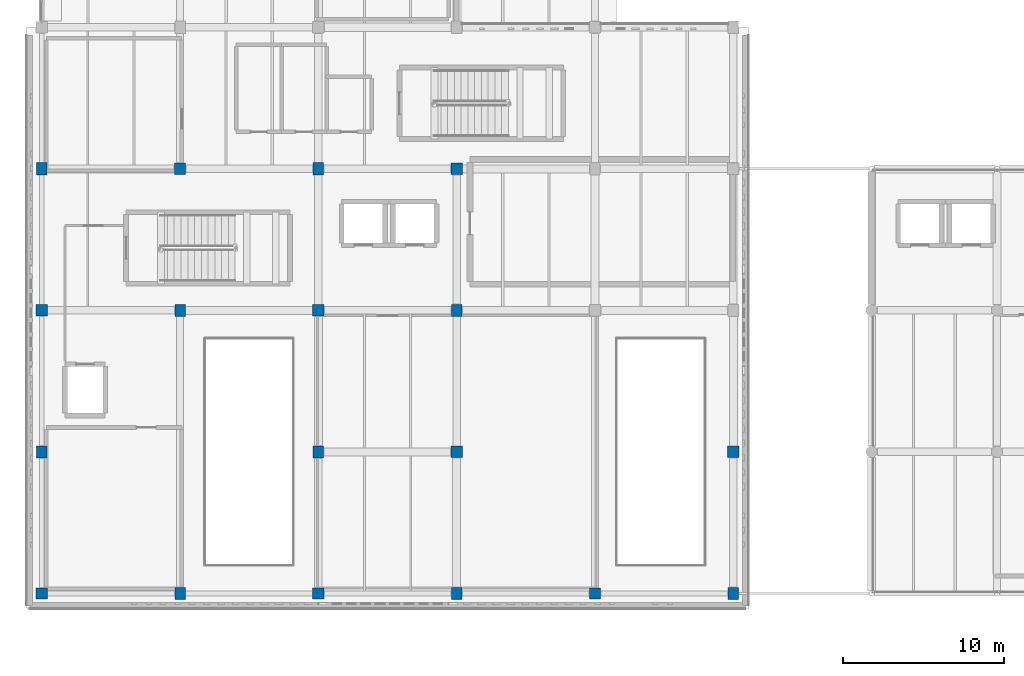
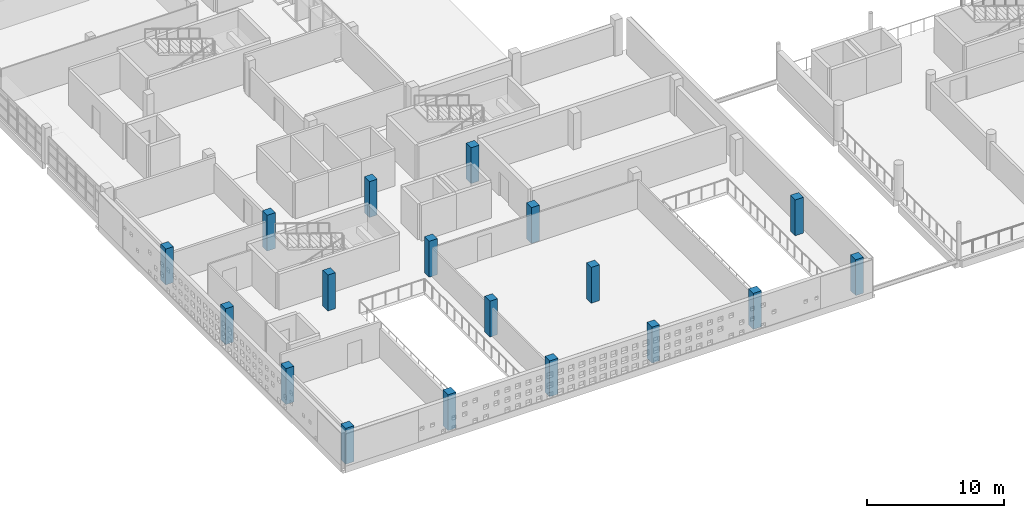
# One storey, part 1 of 55: 18 columns.
"""IFC4 building model written with IfcOpenShell, lengths in metres."""

from ifc_helpers import new_model, si_unit, direction, frame, origin, origin_2d, place, context, subcontext, project, spatial, rectangle, extrude, material, material_profile, profile_set, type_object, element, save


model = new_model("IFC4")

# Units and contexts
model_context = context("Model", 3, precision=1e-05, world=origin(), true_north=direction((0.0, 1.0)))
body_context = subcontext(model_context, "Body", "Model", "MODEL_VIEW")
ifc_project = project(units=[si_unit("LENGTHUNIT", "METRE"), si_unit("AREAUNIT", "SQUARE_METRE"), si_unit("VOLUMEUNIT", "CUBIC_METRE"), si_unit("PLANEANGLEUNIT", "RADIAN"), si_unit("MASSUNIT", "GRAM", prefix="KILO")], contexts=[model_context])

# Site, building, storey
site_placement = place(None, origin())
site = spatial("IfcSite", under=ifc_project, at=site_placement, CompositionType="ELEMENT")
building_placement = place(site_placement, origin())
building = spatial("IfcBuilding", under=site, at=building_placement, Name="Varnakota Cinema and Media Centre", CompositionType="ELEMENT")
storey_placement = place(building_placement, frame((0.0, 0.0, 15.60009765625)))
storey = spatial("IfcBuildingStorey", under=building, at=storey_placement, Name="L04", CompositionType="ELEMENT", Elevation=15.60009765625)

# Columns
ifc_material_1 = material(Name="Concrete M40", Category="concrete")
ifc_material_profile_1 = material_profile(ifc_material_1, rectangle(XDim=0.64990234375, YDim=0.75, at=origin_2d()), Name="RC 650x750")
ifc_profile_set_1 = profile_set([ifc_material_profile_1], Name="Concrete M40")
column_type_1 = type_object("IfcColumnType", Name="COL-RC-650x750", PredefinedType="COLUMN", material=ifc_profile_set_1)
for number, where, z_axis, x_axis, name in (
    (1, (0.0, 8.800048828125, 0.0), (0.0, 0.0, 1.0), (1.0, 0.0, 0.0), "L04 column A/2"),
    (2, (0.0, 26.39990234375, 0.0), (0.0, 0.0, 1.0), (1.0, 0.0, 0.0), "L04 column A/4"),
    (3, (8.60009765625, 0.0, 0.0), (0.0, 0.0, 1.0), (1.0, 0.0, 0.0), "L04 column B/1"),
    (4, (8.60009765625, 17.60009765625, 0.0), (0.0, 0.0, 1.0), (1.0, 0.0, 0.0), "L04 column B/3"),
    (5, (17.199951171875, 8.800048828125, 0.0), (0.0, 0.0, 1.0), (1.0, 0.0, 0.0), "L04 column C/2"),
    (6, (17.199951171875, 26.39990234375, 0.0), (0.0, 0.0, 1.0), (1.0, 0.0, 0.0), "L04 column C/4"),
    (7, (25.800048828125, 0.0, 0.0), (0.0, 0.0, 1.0), (1.0, 0.0, 0.0), "L04 column D/1"),
    (8, (25.800048828125, 17.60009765625, 0.0), (0.0, 0.0, 1.0), (1.0, 0.0, 0.0), "L04 column D/3"),
    (9, (43.0, 0.0, 0.0), (0.0, 0.0, 1.0), (1.0, 0.0, 0.0), "L04 column F/1"),
):
    element("IfcColumn", number, at=place(storey_placement, frame(where, z_axis=z_axis, x_axis=x_axis)), inside=storey, type_object=column_type_1, Name=name, PredefinedType="COLUMN", context=body_context, shape_type="SweptSolid", body=[
        extrude(rectangle(XDim=0.64990234375, YDim=0.75, at=origin_2d()), origin(), (0.0, 0.0, 1.0), 3.199951171875),
    ])
ifc_material_2 = material(Name="Concrete M40", Category="concrete")
ifc_material_profile_2 = material_profile(ifc_material_2, rectangle(XDim=0.699951171875, YDim=0.699951171875, at=origin_2d()), Name="RC 700x700")
ifc_profile_set_2 = profile_set([ifc_material_profile_2], Name="Concrete M40")
column_type_2 = type_object("IfcColumnType", Name="COL-RC-700x700", PredefinedType="COLUMN", material=ifc_profile_set_2)
for number, where, z_axis, x_axis, name in (
    (10, (0.0, 0.0, 0.0), (0.0, 0.0, 1.0), (1.0, 0.0, 0.0), "L04 column A/1"),
    (11, (0.0, 17.60009765625, 0.0), (0.0, 0.0, 1.0), (1.0, 0.0, 0.0), "L04 column A/3"),
    (12, (8.60009765625, 26.39990234375, 0.0), (0.0, 0.0, 1.0), (1.0, 0.0, 0.0), "L04 column B/4"),
    (13, (17.199951171875, 0.0, 0.0), (0.0, 0.0, 1.0), (1.0, 0.0, 0.0), "L04 column C/1"),
    (14, (17.199951171875, 17.60009765625, 0.0), (0.0, 0.0, 1.0), (1.0, 0.0, 0.0), "L04 column C/3"),
    (15, (25.800048828125, 8.800048828125, 0.0), (0.0, 0.0, 1.0), (1.0, 0.0, 0.0), "L04 column D/2"),
    (16, (25.800048828125, 26.39990234375, 0.0), (0.0, 0.0, 1.0), (1.0, 0.0, 0.0), "L04 column D/4"),
    (17, (34.39990234375, 0.0, 0.0), (0.0, 0.0, 1.0), (1.0, 0.0, 0.0), "L04 column E/1"),
    (18, (43.0, 8.800048828125, 0.0), (0.0, 0.0, 1.0), (1.0, 0.0, 0.0), "L04 column F/2"),
):
    element("IfcColumn", number, at=place(storey_placement, frame(where, z_axis=z_axis, x_axis=x_axis)), inside=storey, type_object=column_type_2, Name=name, PredefinedType="COLUMN", context=body_context, shape_type="SweptSolid", body=[
        extrude(rectangle(XDim=0.699951171875, YDim=0.699951171875, at=origin_2d()), origin(), (0.0, 0.0, 1.0), 3.199951171875),
    ])

save(model, "model.ifc")
